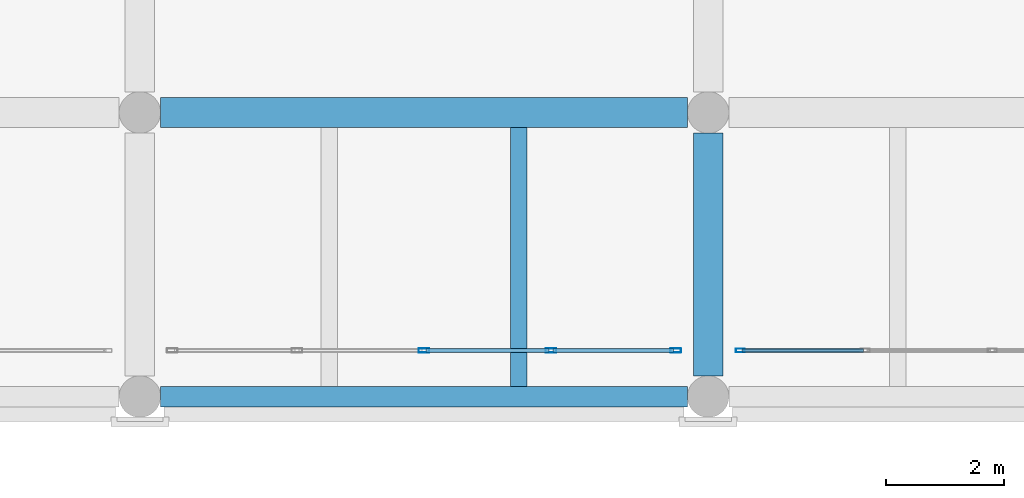
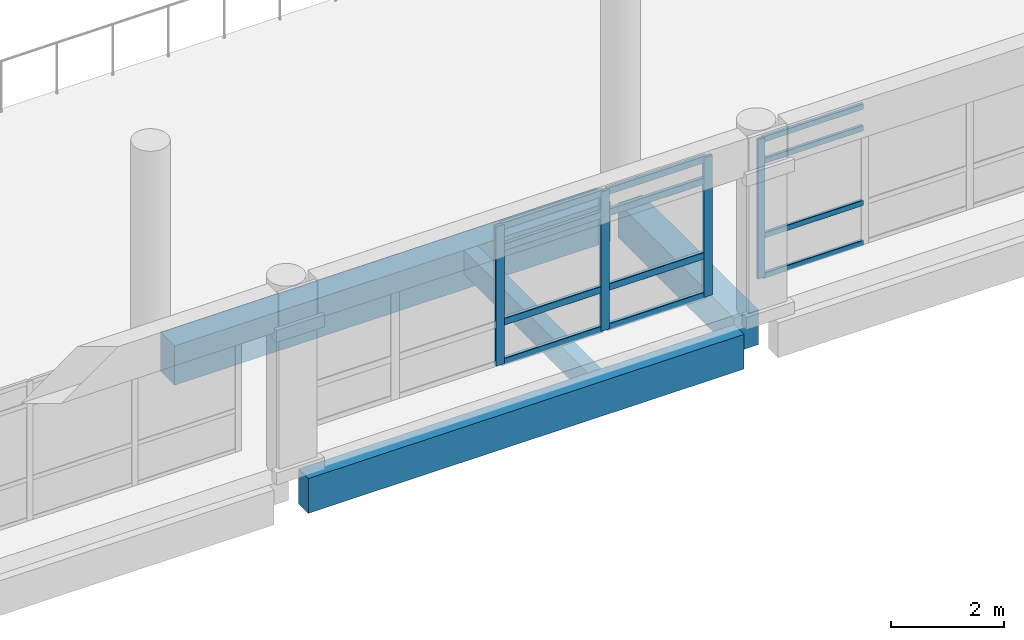
# One storey, part 14 of 180: 16 members, 4 beams, 2 elements without a shape of their own.
"""IFC4 building model written with IfcOpenShell, lengths in metres."""

from ifc_helpers import new_model, si_unit, direction, frame, origin, origin_2d, place, context, subcontext, project, spatial, rectangle, hollow_rectangle, extrude, material, layer, layer_set, material_profile, profile_set, type_object, element, aggregate, save


model = new_model("IFC4")

# Units and contexts
model_context = context("Model", 3, precision=1e-05, world=origin(), true_north=direction((0.0, 1.0)))
body_context = subcontext(model_context, "Body", "Model", "MODEL_VIEW")
ifc_project = project(units=[si_unit("LENGTHUNIT", "METRE"), si_unit("AREAUNIT", "SQUARE_METRE"), si_unit("VOLUMEUNIT", "CUBIC_METRE"), si_unit("PLANEANGLEUNIT", "RADIAN"), si_unit("MASSUNIT", "GRAM", prefix="KILO")], contexts=[model_context])

# Site, building, storey
site_placement = place(None, origin())
site = spatial("IfcSite", under=ifc_project, at=site_placement, CompositionType="ELEMENT")
building_placement = place(site_placement, origin())
building = spatial("IfcBuilding", under=site, at=building_placement, Name="Asteropetra Specialist Clinic", CompositionType="ELEMENT")
storey_placement = place(building_placement, frame((0.0, 0.0, 4.419921875)))
storey = spatial("IfcBuildingStorey", under=building, at=storey_placement, Name="L01", CompositionType="ELEMENT", Elevation=4.419921875)

# Beams
ifc_material_1 = material(Name="Concrete C35/45", Category="concrete")
ifc_material_profile_1 = material_profile(ifc_material_1, rectangle(XDim=0.5, YDim=0.75, at=origin_2d()), Name="RCB 500x750")
ifc_profile_set_1 = profile_set([ifc_material_profile_1], Name="Concrete C35/45")
beam_type_1 = type_object("IfcBeamType", Name="BM-RC500x750", PredefinedType="BEAM", material=ifc_profile_set_1)
beam_1_placement = place(storey_placement, frame((28.800048828125, 0.35009765625, -0.71484375), z_axis=(0.0, 1.0, 0.0), x_axis=(-1.0, 0.0, 0.0)))
element("IfcBeam", 1, at=beam_1_placement, inside=storey, type_object=beam_type_1, Name="Beam BBM04-0255", PredefinedType="BEAM", context=body_context, shape_type="SweptSolid", body=[
    extrude(rectangle(XDim=0.5, YDim=0.75, at=origin_2d()), origin(), (0.0, 0.0, 1.0), 4.099853515625),
])
ifc_material_2 = material(Name="Concrete C35/45", Category="concrete")
ifc_material_profile_2 = material_profile(ifc_material_2, rectangle(XDim=0.5, YDim=0.85009765625, at=origin_2d()), Name="RCB 500x850")
ifc_profile_set_2 = profile_set([ifc_material_profile_2], Name="Concrete C35/45")
beam_type_2 = type_object("IfcBeamType", Name="BM-RC500x850", PredefinedType="BEAM", material=ifc_profile_set_2)
beam_2_placement = place(storey_placement, frame((19.550048828125, 4.800048828125, -0.764892578125), z_axis=(1.0, 0.0, 0.0), x_axis=(0.0, 1.0, 0.0)))
element("IfcBeam", 2, at=beam_2_placement, inside=storey, type_object=beam_type_2, Name="Beam BBM03-0234", PredefinedType="BEAM", context=body_context, shape_type="SweptSolid", body=[
    extrude(rectangle(XDim=0.5, YDim=0.85009765625, at=origin_2d()), origin(), (0.0, 0.0, 1.0), 8.89990234375),
])

# Curtain wall, member
ifc_material_3 = material(Name="Aluminium and low-E glass", Category="aluminium")
ifc_layer_1 = layer(ifc_material_3, 0.135009765625)
ifc_layer_set_1 = layer_set([ifc_layer_1], Name="Aluminium and low-E glass")
curtain_wall_type_1 = type_object("IfcCurtainWallType", Name="CW-SYS-09", PredefinedType="USERDEFINED", material=ifc_layer_set_1)
curtain_wall_1_placement = place(storey_placement, origin())
curtain_wall_1 = element("IfcCurtainWall", 3, at=curtain_wall_1_placement, inside=storey, type_object=curtain_wall_type_1, Name="Curtain Wall CW-136", ObjectType="STICK GLAZED COLONNADE", PredefinedType="USERDEFINED")
ifc_material_4 = material(Name="Aluminium 6063-T6", Category="aluminium")
ifc_material_profile_3 = material_profile(ifc_material_4, hollow_rectangle(XDim=0.06494140625, YDim=0.14990234375, WallThickness=0.00390625, InnerFilletRadius=0.00390625, OuterFilletRadius=0.008056640625, at=origin_2d()), Name="MUL 150x65x4.0")
ifc_profile_set_3 = profile_set([ifc_material_profile_3], Name="Aluminium 6063-T6")
member_type_1 = type_object("IfcMemberType", Name="CWM-150x65", PredefinedType="MULLION", material=ifc_profile_set_3)
member_1_placement = place(storey_placement, frame((29.342529296875, 0.780029296875, 0.0), z_axis=(0.0, 0.0, 1.0), x_axis=(0.0, 1.0, 0.0)))
member_1 = element("IfcMember", 4, at=member_1_placement, type_object=member_type_1, Name="CW-136 mullion 1", PredefinedType="MULLION", context=body_context, shape_type="SweptSolid", body=[
    extrude(hollow_rectangle(XDim=0.06494140625, YDim=0.14990234375, WallThickness=0.00390625, InnerFilletRadius=0.00390625, OuterFilletRadius=0.008056640625, at=origin_2d()), origin(), (0.0, 0.0, 1.0), 3.010009765625),
])

# Curtain wall, members
ifc_material_5 = material(Name="Aluminium and low-E glass", Category="aluminium")
ifc_layer_2 = layer(ifc_material_5, 0.135009765625)
ifc_layer_set_2 = layer_set([ifc_layer_2], Name="Aluminium and low-E glass")
curtain_wall_type_2 = type_object("IfcCurtainWallType", Name="CW-SYS-12", PredefinedType="USERDEFINED", material=ifc_layer_set_2)
curtain_wall_2_placement = place(storey_placement, origin())
curtain_wall_2 = element("IfcCurtainWall", 5, at=curtain_wall_2_placement, inside=storey, type_object=curtain_wall_type_2, Name="Curtain Wall CW-135", ObjectType="STICK GLAZED COLONNADE", PredefinedType="USERDEFINED")
ifc_material_6 = material(Name="Aluminium 6063-T6", Category="aluminium")
ifc_material_profile_4 = material_profile(ifc_material_6, hollow_rectangle(XDim=0.074951171875, YDim=0.179931640625, WallThickness=0.00390625, InnerFilletRadius=0.00390625, OuterFilletRadius=0.008056640625, at=origin_2d()), Name="MUL 180x75x4.0")
ifc_profile_set_4 = profile_set([ifc_material_profile_4], Name="Aluminium 6063-T6")
member_type_2 = type_object("IfcMemberType", Name="CWM-180x75", PredefinedType="MULLION", material=ifc_profile_set_4)
member_2_placement = place(storey_placement, frame((24.0, 0.780029296875, 0.0), z_axis=(0.0, 0.0, 1.0), x_axis=(0.0, 1.0, 0.0)))
member_2 = element("IfcMember", 6, at=member_2_placement, type_object=member_type_2, Name="CW-135 mullion 3", PredefinedType="MULLION", context=body_context, shape_type="SweptSolid", body=[
    extrude(hollow_rectangle(XDim=0.074951171875, YDim=0.179931640625, WallThickness=0.00390625, InnerFilletRadius=0.00390625, OuterFilletRadius=0.008056640625, at=origin_2d()), origin(), (0.0, 0.0, 1.0), 3.010009765625),
])
member_3_placement = place(storey_placement, frame((26.14501953125, 0.780029296875, 0.0), z_axis=(0.0, 0.0, 1.0), x_axis=(0.0, 1.0, 0.0)))
member_3 = element("IfcMember", 7, at=member_3_placement, type_object=member_type_2, Name="CW-135 mullion 4", PredefinedType="MULLION", context=body_context, shape_type="SweptSolid", body=[
    extrude(hollow_rectangle(XDim=0.074951171875, YDim=0.179931640625, WallThickness=0.00390625, InnerFilletRadius=0.00390625, OuterFilletRadius=0.008056640625, at=origin_2d()), origin(), (0.0, 0.0, 1.0), 3.010009765625),
])
member_4_placement = place(storey_placement, frame((28.25244140625, 0.780029296875, 0.0), z_axis=(0.0, 0.0, 1.0), x_axis=(0.0, 1.0, 0.0)))
member_4 = element("IfcMember", 8, at=member_4_placement, type_object=member_type_2, Name="CW-135 mullion 5", PredefinedType="MULLION", context=body_context, shape_type="SweptSolid", body=[
    extrude(hollow_rectangle(XDim=0.074951171875, YDim=0.179931640625, WallThickness=0.00390625, InnerFilletRadius=0.00390625, OuterFilletRadius=0.008056640625, at=origin_2d()), origin(), (0.0, 0.0, 1.0), 3.010009765625),
])

# Member
ifc_material_7 = material(Name="Aluminium 6063-T6", Category="aluminium")
ifc_material_profile_5 = material_profile(ifc_material_7, hollow_rectangle(XDim=0.06494140625, YDim=0.1201171875, WallThickness=0.00390625, InnerFilletRadius=0.00390625, OuterFilletRadius=0.008056640625, at=origin_2d()), Name="TRN 120x65x4.0")
ifc_profile_set_5 = profile_set([ifc_material_profile_5], Name="Aluminium 6063-T6")
member_type_3 = type_object("IfcMemberType", Name="CWT-120x65", PredefinedType="USERDEFINED", material=ifc_profile_set_5)
member_5_placement = place(storey_placement, frame((29.375, 0.780029296875, 0.032470703125), z_axis=(1.0, 0.0, 0.0), x_axis=(0.0, 1.0, 0.0)))
member_5 = element("IfcMember", 9, at=member_5_placement, type_object=member_type_3, Name="CW-136 transom 1.1", ObjectType="TRANSOM", PredefinedType="USERDEFINED", context=body_context, shape_type="SweptSolid", body=[
    extrude(hollow_rectangle(XDim=0.06494140625, YDim=0.1201171875, WallThickness=0.00390625, InnerFilletRadius=0.00390625, OuterFilletRadius=0.008056640625, at=origin_2d()), origin(), (0.0, 0.0, 1.0), 2.047607421875),
])

member_6_placement = place(storey_placement, frame((29.375, 0.780029296875, 0.900146484375), z_axis=(1.0, 0.0, 0.0), x_axis=(0.0, 1.0, 0.0)))
member_6 = element("IfcMember", 10, at=member_6_placement, type_object=member_type_3, Name="CW-136 transom 1.2", ObjectType="TRANSOM", PredefinedType="USERDEFINED", context=body_context, shape_type="SweptSolid", body=[
    extrude(hollow_rectangle(XDim=0.06494140625, YDim=0.1201171875, WallThickness=0.00390625, InnerFilletRadius=0.00390625, OuterFilletRadius=0.008056640625, at=origin_2d()), origin(), (0.0, 0.0, 1.0), 2.047607421875),
])

member_7_placement = place(storey_placement, frame((29.375, 0.780029296875, 2.510009765625), z_axis=(1.0, 0.0, 0.0), x_axis=(0.0, 1.0, 0.0)))
member_7 = element("IfcMember", 11, at=member_7_placement, type_object=member_type_3, Name="CW-136 transom 1.3", ObjectType="TRANSOM", PredefinedType="USERDEFINED", context=body_context, shape_type="SweptSolid", body=[
    extrude(hollow_rectangle(XDim=0.06494140625, YDim=0.1201171875, WallThickness=0.00390625, InnerFilletRadius=0.00390625, OuterFilletRadius=0.008056640625, at=origin_2d()), origin(), (0.0, 0.0, 1.0), 2.047607421875),
])

member_8_placement = place(storey_placement, frame((29.375, 0.780029296875, 2.9775390625), z_axis=(1.0, 0.0, 0.0), x_axis=(0.0, 1.0, 0.0)))
member_8 = element("IfcMember", 12, at=member_8_placement, type_object=member_type_3, Name="CW-136 transom 1.4", ObjectType="TRANSOM", PredefinedType="USERDEFINED", context=body_context, shape_type="SweptSolid", body=[
    extrude(hollow_rectangle(XDim=0.06494140625, YDim=0.1201171875, WallThickness=0.00390625, InnerFilletRadius=0.00390625, OuterFilletRadius=0.008056640625, at=origin_2d()), origin(), (0.0, 0.0, 1.0), 2.047607421875),
])

aggregate(curtain_wall_1, [member_1, member_5, member_6, member_7, member_8])

ifc_material_8 = material(Name="Aluminium 6063-T6", Category="aluminium")
ifc_material_profile_6 = material_profile(ifc_material_8, hollow_rectangle(XDim=0.074951171875, YDim=0.14990234375, WallThickness=0.00390625, InnerFilletRadius=0.00390625, OuterFilletRadius=0.008056640625, at=origin_2d()), Name="TRN 150x75x4.0")
ifc_profile_set_6 = profile_set([ifc_material_profile_6], Name="Aluminium 6063-T6")
member_type_4 = type_object("IfcMemberType", Name="CWT-150x75", PredefinedType="USERDEFINED", material=ifc_profile_set_6)
member_9_placement = place(storey_placement, frame((24.03759765625, 0.780029296875, 0.03759765625), z_axis=(1.0, 0.0, 0.0), x_axis=(0.0, 1.0, 0.0)))
member_9 = element("IfcMember", 13, at=member_9_placement, type_object=member_type_4, Name="CW-135 transom 3.1", ObjectType="TRANSOM", PredefinedType="USERDEFINED", context=body_context, shape_type="SweptSolid", body=[
    extrude(hollow_rectangle(XDim=0.074951171875, YDim=0.14990234375, WallThickness=0.00390625, InnerFilletRadius=0.00390625, OuterFilletRadius=0.008056640625, at=origin_2d()), origin(), (0.0, 0.0, 1.0), 2.06982421875),
])

member_10_placement = place(storey_placement, frame((24.03759765625, 0.780029296875, 0.900146484375), z_axis=(1.0, 0.0, 0.0), x_axis=(0.0, 1.0, 0.0)))
member_10 = element("IfcMember", 14, at=member_10_placement, type_object=member_type_4, Name="CW-135 transom 3.2", ObjectType="TRANSOM", PredefinedType="USERDEFINED", context=body_context, shape_type="SweptSolid", body=[
    extrude(hollow_rectangle(XDim=0.074951171875, YDim=0.14990234375, WallThickness=0.00390625, InnerFilletRadius=0.00390625, OuterFilletRadius=0.008056640625, at=origin_2d()), origin(), (0.0, 0.0, 1.0), 2.06982421875),
])

member_11_placement = place(storey_placement, frame((24.03759765625, 0.780029296875, 2.510009765625), z_axis=(1.0, 0.0, 0.0), x_axis=(0.0, 1.0, 0.0)))
member_11 = element("IfcMember", 15, at=member_11_placement, type_object=member_type_4, Name="CW-135 transom 3.3", ObjectType="TRANSOM", PredefinedType="USERDEFINED", context=body_context, shape_type="SweptSolid", body=[
    extrude(hollow_rectangle(XDim=0.074951171875, YDim=0.14990234375, WallThickness=0.00390625, InnerFilletRadius=0.00390625, OuterFilletRadius=0.008056640625, at=origin_2d()), origin(), (0.0, 0.0, 1.0), 2.06982421875),
])

member_12_placement = place(storey_placement, frame((24.03759765625, 0.780029296875, 2.97265625), z_axis=(1.0, 0.0, 0.0), x_axis=(0.0, 1.0, 0.0)))
member_12 = element("IfcMember", 16, at=member_12_placement, type_object=member_type_4, Name="CW-135 transom 3.4", ObjectType="TRANSOM", PredefinedType="USERDEFINED", context=body_context, shape_type="SweptSolid", body=[
    extrude(hollow_rectangle(XDim=0.074951171875, YDim=0.14990234375, WallThickness=0.00390625, InnerFilletRadius=0.00390625, OuterFilletRadius=0.008056640625, at=origin_2d()), origin(), (0.0, 0.0, 1.0), 2.06982421875),
])

member_13_placement = place(storey_placement, frame((26.1826171875, 0.780029296875, 0.03759765625), z_axis=(1.0, 0.0, 0.0), x_axis=(0.0, 1.0, 0.0)))
member_13 = element("IfcMember", 17, at=member_13_placement, type_object=member_type_4, Name="CW-135 transom 4.1", ObjectType="TRANSOM", PredefinedType="USERDEFINED", context=body_context, shape_type="SweptSolid", body=[
    extrude(hollow_rectangle(XDim=0.074951171875, YDim=0.14990234375, WallThickness=0.00390625, InnerFilletRadius=0.00390625, OuterFilletRadius=0.008056640625, at=origin_2d()), origin(), (0.0, 0.0, 1.0), 2.032470703125),
])

member_14_placement = place(storey_placement, frame((26.1826171875, 0.780029296875, 0.900146484375), z_axis=(1.0, 0.0, 0.0), x_axis=(0.0, 1.0, 0.0)))
member_14 = element("IfcMember", 18, at=member_14_placement, type_object=member_type_4, Name="CW-135 transom 4.2", ObjectType="TRANSOM", PredefinedType="USERDEFINED", context=body_context, shape_type="SweptSolid", body=[
    extrude(hollow_rectangle(XDim=0.074951171875, YDim=0.14990234375, WallThickness=0.00390625, InnerFilletRadius=0.00390625, OuterFilletRadius=0.008056640625, at=origin_2d()), origin(), (0.0, 0.0, 1.0), 2.032470703125),
])

member_15_placement = place(storey_placement, frame((26.1826171875, 0.780029296875, 2.510009765625), z_axis=(1.0, 0.0, 0.0), x_axis=(0.0, 1.0, 0.0)))
member_15 = element("IfcMember", 19, at=member_15_placement, type_object=member_type_4, Name="CW-135 transom 4.3", ObjectType="TRANSOM", PredefinedType="USERDEFINED", context=body_context, shape_type="SweptSolid", body=[
    extrude(hollow_rectangle(XDim=0.074951171875, YDim=0.14990234375, WallThickness=0.00390625, InnerFilletRadius=0.00390625, OuterFilletRadius=0.008056640625, at=origin_2d()), origin(), (0.0, 0.0, 1.0), 2.032470703125),
])

member_16_placement = place(storey_placement, frame((26.1826171875, 0.780029296875, 2.97265625), z_axis=(1.0, 0.0, 0.0), x_axis=(0.0, 1.0, 0.0)))
member_16 = element("IfcMember", 20, at=member_16_placement, type_object=member_type_4, Name="CW-135 transom 4.4", ObjectType="TRANSOM", PredefinedType="USERDEFINED", context=body_context, shape_type="SweptSolid", body=[
    extrude(hollow_rectangle(XDim=0.074951171875, YDim=0.14990234375, WallThickness=0.00390625, InnerFilletRadius=0.00390625, OuterFilletRadius=0.008056640625, at=origin_2d()), origin(), (0.0, 0.0, 1.0), 2.032470703125),
])

aggregate(curtain_wall_2, [member_2, member_3, member_4, member_9, member_10, member_11, member_12, member_13, member_14, member_15, member_16])

# Beams
ifc_material_9 = material(Name="Concrete C35/45", Category="concrete")
ifc_material_profile_7 = material_profile(ifc_material_9, rectangle(XDim=0.280029296875, YDim=0.52001953125, at=origin_2d()), Name="RCJ 280x520")
ifc_profile_set_7 = profile_set([ifc_material_profile_7], Name="Concrete C35/45")
beam_type_3 = type_object("IfcBeamType", Name="JST-RC280x520", PredefinedType="JOIST", material=ifc_profile_set_7)
beam_3_placement = place(storey_placement, frame((25.60009765625, 0.175048828125, -0.599853515625), z_axis=(0.0, 1.0, 0.0), x_axis=(-1.0, 0.0, 0.0)))
element("IfcBeam", 21, at=beam_3_placement, inside=storey, type_object=beam_type_3, Name="Joist JJST01-0264", PredefinedType="JOIST", context=body_context, shape_type="SweptSolid", body=[
    extrude(rectangle(XDim=0.280029296875, YDim=0.52001953125, at=origin_2d()), origin(), (0.0, 0.0, 1.0), 4.375),
])
ifc_material_10 = material(Name="Concrete C35/45", Category="concrete")
ifc_material_profile_8 = material_profile(ifc_material_10, rectangle(XDim=0.35009765625, YDim=0.75, at=origin_2d()), Name="RCS 350x750")
ifc_profile_set_8 = profile_set([ifc_material_profile_8], Name="Concrete C35/45")
beam_type_4 = type_object("IfcBeamType", Name="SPN-RC350x750", PredefinedType="SPANDREL", material=ifc_profile_set_8)
beam_4_placement = place(storey_placement, frame((19.550048828125, 0.0, -0.71484375), z_axis=(1.0, 0.0, 0.0), x_axis=(0.0, 1.0, 0.0)))
element("IfcBeam", 22, at=beam_4_placement, inside=storey, type_object=beam_type_4, Name="Beam BSPN01-0228", PredefinedType="SPANDREL", context=body_context, shape_type="SweptSolid", body=[
    extrude(rectangle(XDim=0.35009765625, YDim=0.75, at=origin_2d()), origin(), (0.0, 0.0, 1.0), 8.89990234375),
])

save(model, "model.ifc")
